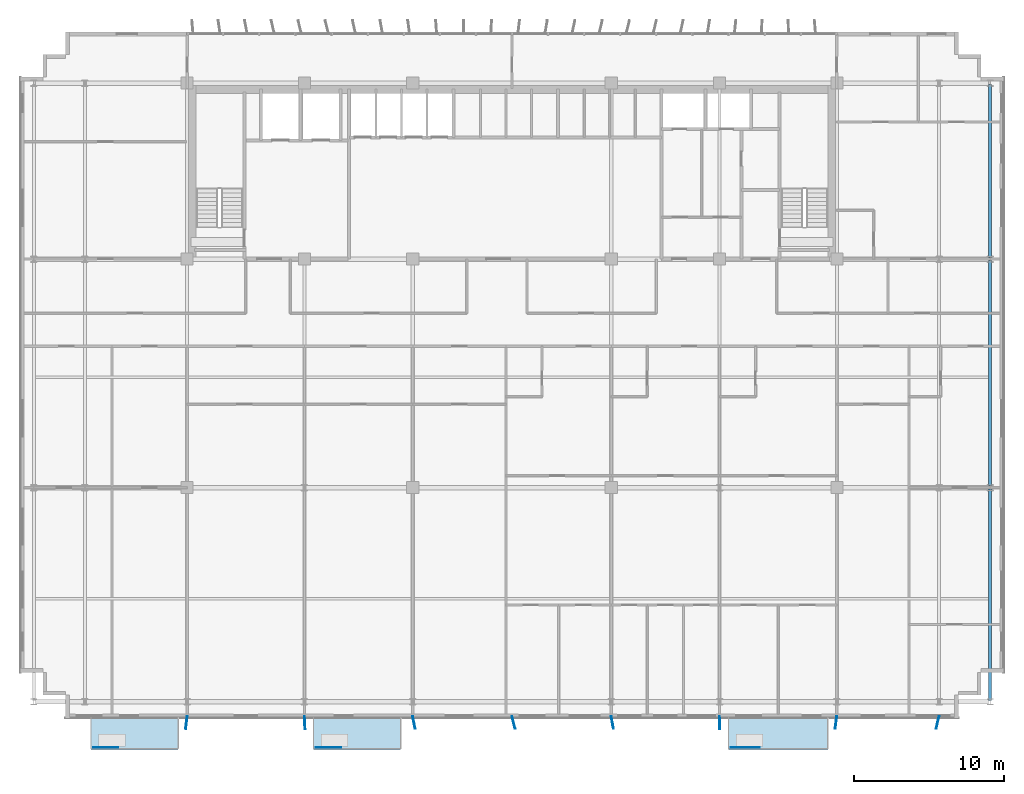
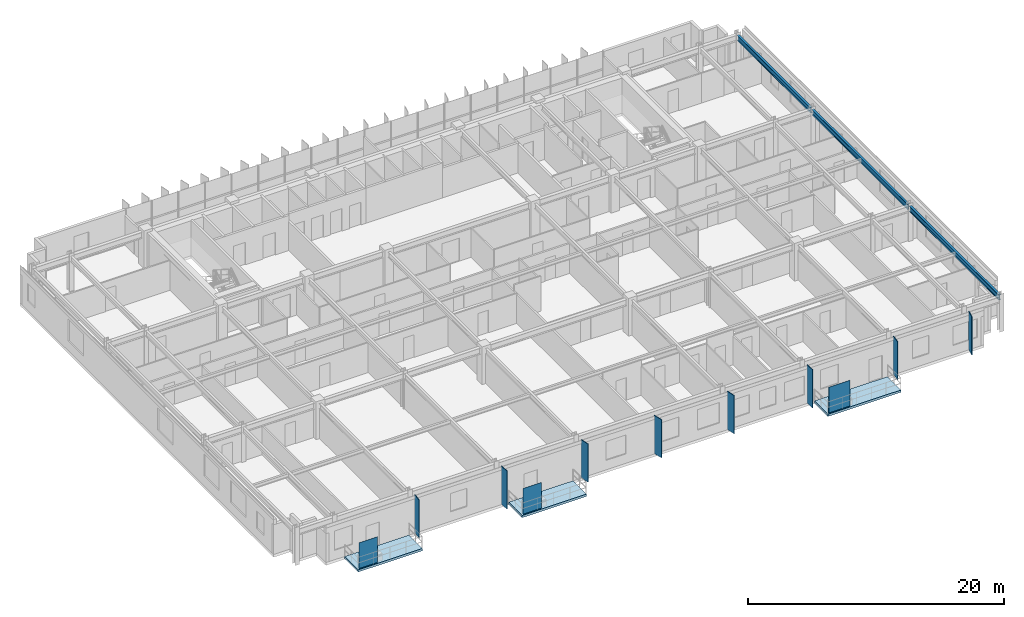
# One storey, part 12 of 22: 11 plates, 3 beams, 3 slabs.
"""IFC4 building model written with IfcOpenShell, lengths in metres."""

import ifcopenshell
import ifcopenshell.guid

model = None  # the IFC model being written
_history = None  # IfcOwnerHistory: only IFC2X3 demands one
_inside = {}  # id of a spatial element -> (the spatial element, [elements in it])
_under = {}  # id of a project, library or spatial element -> (it, [spatial elements below it])
_declared = {}  # id of a project -> (the project, [libraries it declares])
_typed = {}  # id of a type object -> (the type object, [elements of that type])
_made_of = {}  # id of a material, layer set ... -> (it, [elements and type objects made of it])


def new_model(schema):
    """Start an empty IFC model of exactly this schema.

    Asked for "IFC4X3", IfcOpenShell would pick the latest addendum, in which some entities
    have other attributes; the version numbers below select the first issue.
    IFC2X3 requires an IfcOwnerHistory on every rooted entity: one is made here for all.
    """
    global model, _history
    if schema == "IFC4X3":
        model = ifcopenshell.file(schema_version=(4, 3, 0, 0))
    else:
        model = ifcopenshell.file(schema=schema)
    _inside.clear()
    _under.clear()
    _declared.clear()
    _typed.clear()
    _made_of.clear()
    _history = None
    if model.schema == "IFC2X3":
        org = make("IfcOrganization", Name="unknown")
        user = make(
            "IfcPersonAndOrganization",
            ThePerson=make("IfcPerson", FamilyName="unknown"),
            TheOrganization=org,
        )
        app = make(
            "IfcApplication",
            ApplicationDeveloper=org,
            Version="unknown",
            ApplicationFullName="unknown",
            ApplicationIdentifier="unknown",
        )
        _history = make(
            "IfcOwnerHistory",
            OwningUser=user,
            OwningApplication=app,
            ChangeAction="ADDED",
            CreationDate=0,
        )
    return model


def make(cls, **values):
    """One entity of the class cls with the attributes given. An attribute that is None is left unset."""
    return model.create_entity(
        cls, **{name: value for name, value in values.items() if value is not None}
    )


def rooted(cls, **values):
    """An entity with a GlobalId (a new one), such as an element, a storey or a relation."""
    return make(cls, GlobalId=ifcopenshell.guid.new(), OwnerHistory=_history, **values)


def si_unit(unit_type, name, prefix=None):
    """IfcSIUnit, for example si_unit("LENGTHUNIT", "METRE", prefix="MILLI")."""
    return make("IfcSIUnit", UnitType=unit_type, Prefix=prefix, Name=name)


def assignment(units):
    """IfcUnitAssignment: the units of a project."""
    return None if units is None else make("IfcUnitAssignment", Units=units)


def point(xyz):
    """IfcCartesianPoint."""
    return None if xyz is None else make("IfcCartesianPoint", Coordinates=xyz)


def direction(xyz):
    """IfcDirection."""
    return None if xyz is None else make("IfcDirection", DirectionRatios=xyz)


def frame(location, z_axis=None, x_axis=None):
    """IfcAxis2Placement3D, a coordinate frame: its origin and axes. An axis left out is left unset."""
    return make(
        "IfcAxis2Placement3D",
        Location=point(location),
        Axis=direction(z_axis),
        RefDirection=direction(x_axis),
    )


def frame_2d(location, x_axis=None):
    """IfcAxis2Placement2D, a coordinate frame in the plane: its origin and x axis."""
    return make(
        "IfcAxis2Placement2D", Location=point(location), RefDirection=direction(x_axis)
    )


def origin():
    """The frame at (0, 0, 0) with its axes left unset."""
    return frame((0.0, 0.0, 0.0))


def origin_2d():
    """The frame at (0, 0) in the plane with its x axis left unset."""
    return frame_2d((0.0, 0.0))


def place(relative_to, where):
    """IfcLocalPlacement: puts the frame where relative to a parent placement (None: the world)."""
    return make(
        "IfcLocalPlacement", PlacementRelTo=relative_to, RelativePlacement=where
    )


def context(
    kind, dimensions, precision=None, world=None, true_north=None, identifier=None
):
    """IfcGeometricRepresentationContext, for example the 3D "Model" context."""
    return make(
        "IfcGeometricRepresentationContext",
        ContextIdentifier=identifier,
        ContextType=kind,
        CoordinateSpaceDimension=dimensions,
        Precision=precision,
        WorldCoordinateSystem=world,
        TrueNorth=true_north,
    )


def subcontext(parent, identifier, kind, view, scale=None):
    """IfcGeometricRepresentationSubContext, for example "Body" below "Model"."""
    return make(
        "IfcGeometricRepresentationSubContext",
        ContextIdentifier=identifier,
        ContextType=kind,
        ParentContext=parent,
        TargetScale=scale,
        TargetView=view,
    )


def project(units=None, contexts=None):
    """IfcProject with its units and contexts."""
    return rooted(
        "IfcProject",
        Name="project",
        RepresentationContexts=contexts,
        UnitsInContext=assignment(units),
    )


def spatial(cls, under=None, at=None, **own):
    """A site, building, storey or space (cls), placed at a placement, below another one or the project."""
    s = rooted(cls, ObjectPlacement=at, **own)
    if under is not None:
        _under.setdefault(under.id(), (under, []))[1].append(s)
    return s


def polyline(points):
    """IfcPolyline through the points."""
    return make("IfcPolyline", Points=[point(p) for p in points])


def profile(cls, at=None, kind="AREA", **sizes):
    """A parametric profile (cls). Its sizes go by their IFC names, for example OverallWidth=200.0."""
    return make(cls, ProfileType=kind, Position=at, **sizes)


def rectangle(**sizes):
    """IfcRectangleProfileDef."""
    return profile("IfcRectangleProfileDef", **sizes)


def i_section(**sizes):
    """IfcIShapeProfileDef."""
    return profile("IfcIShapeProfileDef", **sizes)


def outline(outer, holes=None, kind="AREA"):
    """IfcArbitraryClosedProfileDef: a profile drawn as a closed curve; with holes, ...WithVoids."""
    if holes is None:
        return make("IfcArbitraryClosedProfileDef", ProfileType=kind, OuterCurve=outer)
    return make(
        "IfcArbitraryProfileDefWithVoids",
        ProfileType=kind,
        OuterCurve=outer,
        InnerCurves=holes,
    )


def extrude(swept, where, along, depth):
    """IfcExtrudedAreaSolid: the profile swept, set in the frame where, extruded along a direction by depth."""
    return make(
        "IfcExtrudedAreaSolid",
        SweptArea=swept,
        Position=where,
        ExtrudedDirection=direction(along),
        Depth=depth,
    )


def shape(context_of_items, identifier, shape_type, items):
    """IfcShapeRepresentation: the items that make up one representation, for example the "Body"."""
    return make(
        "IfcShapeRepresentation",
        ContextOfItems=context_of_items,
        RepresentationIdentifier=identifier,
        RepresentationType=shape_type,
        Items=items,
    )


def source(mapping_origin, context_of_items, identifier, shape_type, items):
    """IfcRepresentationMap: a shape defined once, which mapped items show again and again."""
    return make(
        "IfcRepresentationMap",
        MappingOrigin=mapping_origin,
        MappedRepresentation=shape(context_of_items, identifier, shape_type, items),
    )


def transform(
    local_origin,
    x_axis=None,
    y_axis=None,
    z_axis=None,
    scale=None,
    scale2=None,
    scale3=None,
    uniform=True,
):
    """IfcCartesianTransformationOperator3D, or its non-uniform kind. x_axis, y_axis, z_axis: its Axis1, 2, 3."""
    if uniform:
        return make(
            "IfcCartesianTransformationOperator3D",
            Axis1=direction(x_axis),
            Axis2=direction(y_axis),
            LocalOrigin=point(local_origin),
            Scale=scale,
            Axis3=direction(z_axis),
        )
    return make(
        "IfcCartesianTransformationOperator3DnonUniform",
        Axis1=direction(x_axis),
        Axis2=direction(y_axis),
        LocalOrigin=point(local_origin),
        Scale=scale,
        Axis3=direction(z_axis),
        Scale2=scale2,
        Scale3=scale3,
    )


def mapped(mapping_source, mapping_target):
    """IfcMappedItem: shows the shape of a source again, moved by a transform."""
    return make(
        "IfcMappedItem", MappingSource=mapping_source, MappingTarget=mapping_target
    )


def material(Name=None, Category=None):
    """IfcMaterial."""
    return make("IfcMaterial", Name=Name, Category=Category)


def layer(
    of_material, thickness, ventilated=None, Name=None, Category=None, Priority=None
):
    """IfcMaterialLayer: one layer of a wall or slab, of a material (None: an air gap)."""
    return make(
        "IfcMaterialLayer",
        Material=of_material,
        LayerThickness=thickness,
        IsVentilated=ventilated,
        Name=Name,
        Category=Category,
        Priority=Priority,
    )


def layer_set(layers, Name=None):
    """IfcMaterialLayerSet."""
    return make("IfcMaterialLayerSet", MaterialLayers=layers, LayerSetName=Name)


def material_profile(
    of_material, cross_section, Name=None, Category=None, Priority=None
):
    """IfcMaterialProfile: a cross section and its material."""
    return make(
        "IfcMaterialProfile",
        Name=Name,
        Material=of_material,
        Profile=cross_section,
        Priority=Priority,
        Category=Category,
    )


def profile_set(profiles, Name=None, composite=None):
    """IfcMaterialProfileSet."""
    return make(
        "IfcMaterialProfileSet",
        Name=Name,
        MaterialProfiles=profiles,
        CompositeProfile=composite,
    )


def made_of(thing, what):
    """Note that an element or type object is made of a material, layer set ...; save() writes the relation."""
    if what is not None:
        _made_of.setdefault(what.id(), (what, []))[1].append(thing)
    return thing


def type_object(cls, material=None, **own):
    """A type object (cls), such as IfcWallType, which elements share."""
    return made_of(rooted(cls, **own), material)


def element(
    cls,
    number,
    at=None,
    inside=None,
    cuts=None,
    type_object=None,
    material=None,
    context=None,
    identifier="Body",
    shape_type=None,
    held_by="IfcProductDefinitionShape",
    body=None,
    shapes=None,
    **own,
):
    """One element of the class cls, such as IfcWall. Its Tag is "e" and its number.

    at: its placement. inside: the storey or other place that contains it. cuts: it is an
    opening in that element (IfcRelVoidsElement). A single representation is given by context,
    identifier, shape_type and body (its items); several are given by shapes. held_by: the class
    of the entity that holds the representations. save() writes the other relations.
    """
    e = rooted(cls, Tag="e%d" % number, ObjectPlacement=at, **own)
    if body is not None:
        shapes = [shape(context, identifier, shape_type, body)]
    if shapes is not None:
        e.Representation = make(held_by, Representations=shapes)
    if inside is not None:
        _inside.setdefault(inside.id(), (inside, []))[1].append(e)
    if cuts is not None:
        rooted(
            "IfcRelVoidsElement", RelatingBuildingElement=cuts, RelatedOpeningElement=e
        )
    if type_object is not None:
        _typed.setdefault(type_object.id(), (type_object, []))[1].append(e)
    return made_of(e, material)


def aggregate(whole, parts):
    """IfcRelAggregates: a whole, such as a stair, and the parts it consists of."""
    return rooted("IfcRelAggregates", RelatingObject=whole, RelatedObjects=parts)


def save(model, path):
    """Write the relations noted so far, then the file.

    IfcRelAggregates (storeys below a building ...), IfcRelContainedInSpatialStructure (elements
    in a storey), IfcRelDefinesByType, IfcRelAssociatesMaterial and IfcRelDeclares: one each for
    every whole, place, type object, material and project.
    """
    for whole, parts in _under.values():
        aggregate(whole, parts)
    for where, things in _inside.values():
        rooted(
            "IfcRelContainedInSpatialStructure",
            RelatedElements=things,
            RelatingStructure=where,
        )
    for kind, things in _typed.values():
        rooted("IfcRelDefinesByType", RelatedObjects=things, RelatingType=kind)
    for what, things in _made_of.values():
        rooted("IfcRelAssociatesMaterial", RelatedObjects=things, RelatingMaterial=what)
    for by, libraries in _declared.values():
        rooted("IfcRelDeclares", RelatingContext=by, RelatedDefinitions=libraries)
    model.write(path)


model = new_model("IFC4")

# Units and contexts
model_context = context("Model", 3, precision=1e-05, world=origin(), true_north=direction((0.0, 1.0)))
body_context = subcontext(model_context, "Body", "Model", "MODEL_VIEW")
ifc_project = project(units=[si_unit("LENGTHUNIT", "METRE"), si_unit("AREAUNIT", "SQUARE_METRE"), si_unit("VOLUMEUNIT", "CUBIC_METRE"), si_unit("PLANEANGLEUNIT", "RADIAN"), si_unit("MASSUNIT", "GRAM", prefix="KILO")], contexts=[model_context])

# Site, building, storey
site_placement = place(None, origin())
site = spatial("IfcSite", under=ifc_project, at=site_placement, CompositionType="ELEMENT")
building_placement = place(site_placement, origin())
building = spatial("IfcBuilding", under=site, at=building_placement, Name="Trelvane Seafront Commons", CompositionType="ELEMENT")
storey_placement = place(building_placement, frame((0.0, 0.0, 85.300048828125)))
storey = spatial("IfcBuildingStorey", under=building, at=storey_placement, Name="L21", CompositionType="ELEMENT", Elevation=85.300048828125)

# Beams
ifc_material_1 = material(Name="Steel SM355 (S355)", Category="steel")
ifc_material_profile = material_profile(ifc_material_1, i_section(OverallWidth=0.199951171875, OverallDepth=0.5, WebThickness=0.010009765625, FlangeThickness=0.01611328125, at=origin_2d()), Name="H-500x200x10x16")
ifc_profile_set = profile_set([ifc_material_profile], Name="Steel SM355 (S355)")
beam_type = type_object("IfcBeamType", Name="STR-BM-H500", PredefinedType="BEAM", material=ifc_profile_set)
shared_shape_1 = source(origin(), body_context, "Body", "SweptSolid", [
    extrude(i_section(OverallWidth=0.199951171875, OverallDepth=0.5, WebThickness=0.010009765625, FlangeThickness=0.01611328125, at=origin_2d()), origin(), (0.0, 0.0, 1.0), 14.050048828125),
])
beam_1_placement = place(storey_placement, frame((69.0, 4.050048828125, 3.08984375), z_axis=(0.0, 1.0, 0.0), x_axis=(-1.0, 0.0, 0.0)))
element("IfcBeam", 1, at=beam_1_placement, inside=storey, type_object=beam_type, Name="L21 Primary Girder G-64", PredefinedType="BEAM", context=body_context, shape_type="MappedRepresentation", body=[
    mapped(shared_shape_1, transform((0.0, 0.0, 0.0), x_axis=(1.0, 0.0, 0.0), y_axis=(0.0, 1.0, 0.0), z_axis=(0.0, 0.0, 1.0), scale=1.0)),
])
shared_shape_2 = source(origin(), body_context, "Body", "SweptSolid", [
    extrude(i_section(OverallWidth=0.199951171875, OverallDepth=0.5, WebThickness=0.010009765625, FlangeThickness=0.01611328125, at=origin_2d()), origin(), (0.0, 0.0, 1.0), 15.0),
])
beam_2_placement = place(storey_placement, frame((69.0, 18.300048828125, 3.08984375), z_axis=(0.0, 1.0, 0.0), x_axis=(-1.0, 0.0, 0.0)))
element("IfcBeam", 2, at=beam_2_placement, inside=storey, type_object=beam_type, Name="L21 Primary Girder G-65", PredefinedType="BEAM", context=body_context, shape_type="MappedRepresentation", body=[
    mapped(shared_shape_2, transform((0.0, 0.0, 0.0), x_axis=(1.0, 0.0, 0.0), y_axis=(0.0, 1.0, 0.0), z_axis=(0.0, 0.0, 1.0), scale=1.0)),
])
shared_shape_3 = source(origin(), body_context, "Body", "SweptSolid", [
    extrude(i_section(OverallWidth=0.199951171875, OverallDepth=0.5, WebThickness=0.010009765625, FlangeThickness=0.01611328125, at=origin_2d()), origin(), (0.0, 0.0, 1.0), 11.5),
])
beam_3_placement = place(storey_placement, frame((69.0, 33.5, 3.08984375), z_axis=(0.0, 1.0, 0.0), x_axis=(-1.0, 0.0, 0.0)))
element("IfcBeam", 3, at=beam_3_placement, inside=storey, type_object=beam_type, Name="L21 Primary Girder G-66", PredefinedType="BEAM", context=body_context, shape_type="MappedRepresentation", body=[
    mapped(shared_shape_3, transform((0.0, 0.0, 0.0), x_axis=(1.0, 0.0, 0.0), y_axis=(0.0, 1.0, 0.0), z_axis=(0.0, 0.0, 1.0), scale=1.0)),
])

# Slabs
ifc_material_2 = material(Name="Concrete C40/50", Category="concrete")
ifc_layer_1 = layer(ifc_material_2, 0.219970703125, Name="ARCH-BALC-220")
ifc_layer_set_1 = layer_set([ifc_layer_1], Name="Concrete C40/50")
slab_type = type_object("IfcSlabType", Name="ARCH-BALC-220", PredefinedType="FLOOR", material=ifc_layer_set_1)
slab_1_placement = place(storey_placement, frame((0.0, 0.0, -0.219970703125)))
element("IfcSlab", 4, at=slab_1_placement, inside=storey, type_object=slab_type, Name="L21 Cantilevered Tree Balcony Loggia 1", PredefinedType="FLOOR", context=body_context, shape_type="SweptSolid", body=[
    extrude(outline(polyline([(9.199951171875, 0.800048828125), (15.0, 0.800048828125), (15.0, 2.89990234375), (9.199951171875, 2.89990234375), (9.199951171875, 0.800048828125)])), origin(), (0.0, 0.0, 1.0), 0.219970703125),
])
slab_2_placement = place(storey_placement, frame((0.0, 0.0, -0.219970703125)))
element("IfcSlab", 5, at=slab_2_placement, inside=storey, type_object=slab_type, Name="L21 Cantilevered Tree Balcony Loggia 2", PredefinedType="FLOOR", context=body_context, shape_type="SweptSolid", body=[
    extrude(outline(polyline([(24.0, 0.800048828125), (29.800048828125, 0.800048828125), (29.800048828125, 2.89990234375), (24.0, 2.89990234375), (24.0, 0.800048828125)])), origin(), (0.0, 0.0, 1.0), 0.219970703125),
])
slab_3_placement = place(storey_placement, frame((0.0, 0.0, -0.219970703125)))
element("IfcSlab", 6, at=slab_3_placement, inside=storey, type_object=slab_type, Name="L21 Cantilevered Tree Balcony Loggia 3", PredefinedType="FLOOR", context=body_context, shape_type="SweptSolid", body=[
    extrude(outline(polyline([(51.60009765625, 0.800048828125), (58.199951171875, 0.800048828125), (58.199951171875, 2.89990234375), (51.60009765625, 2.89990234375), (51.60009765625, 0.800048828125)])), origin(), (0.0, 0.0, 1.0), 0.219970703125),
])

# Plates
ifc_material_3 = material(Name="Perforated anodised aluminium screen", Category="aluminium")
ifc_layer_2 = layer(ifc_material_3, 0.01611328125, Name="ARCH-PLATE-SCREEN")
ifc_layer_set_2 = layer_set([ifc_layer_2], Name="Perforated anodised aluminium screen")
plate_type_1 = type_object("IfcPlateType", Name="ARCH-PLATE-SCREEN", PredefinedType="USERDEFINED", material=ifc_layer_set_2)
shared_shape_4 = source(origin(), body_context, "Body", "SweptSolid", [
    extrude(rectangle(XDim=1.9140625, YDim=0.01611328125, at=origin_2d()), origin(), (0.0, 0.0, 1.0), 2.449951171875),
])
plate_placement = place(storey_placement, frame((52.70703125, 0.919921875, 0.0), z_axis=(0.0, 0.0, 1.0), x_axis=(1.0, 0.0, 0.0)))
element("IfcPlate", 7, at=plate_placement, inside=storey, type_object=plate_type_1, Name="SCR-L21-00077", ObjectType="SCREEN", PredefinedType="USERDEFINED", context=body_context, shape_type="MappedRepresentation", body=[
    mapped(shared_shape_4, transform((0.0, 0.0, 0.0), x_axis=(1.0, 0.0, 0.0), y_axis=(0.0, 1.0, 0.0), z_axis=(0.0, 0.0, 1.0), scale=1.0)),
])
shared_shape_5 = source(origin(), body_context, "Body", "SweptSolid", [
    extrude(rectangle(XDim=1.681884765625, YDim=0.01611328125, at=origin_2d()), origin(), (0.0, 0.0, 1.0), 2.449951171875),
])
for number, where, z_axis, x_axis, name in (
    (8, (10.19091796875, 0.919921875, 0.0), (0.0, 0.0, 1.0), (1.0, 0.0, 0.0), "SCR-L21-00075"),
    (9, (24.990966796875, 0.919921875, 0.0), (0.0, 0.0, 1.0), (1.0, 0.0, 0.0), "SCR-L21-00076"),
):
    element("IfcPlate", number, at=place(storey_placement, frame(where, z_axis=z_axis, x_axis=x_axis)), inside=storey, type_object=plate_type_1, Name=name, ObjectType="SCREEN", PredefinedType="USERDEFINED", context=body_context, shape_type="MappedRepresentation", body=[
        mapped(shared_shape_5, transform((0.0, 0.0, 0.0), x_axis=(1.0, 0.0, 0.0), y_axis=(0.0, 1.0, 0.0), z_axis=(0.0, 0.0, 1.0), scale=1.0)),
    ])
ifc_material_4 = material(Name="Anodised pale-silver aluminium", Category="aluminium")
ifc_layer_3 = layer(ifc_material_4, 0.06005859375, Name="ARCH-PLATE-FIN900")
ifc_layer_set_3 = layer_set([ifc_layer_3], Name="Anodised pale-silver aluminium")
plate_type_2 = type_object("IfcPlateType", Name="ARCH-PLATE-FIN900", PredefinedType="USERDEFINED", material=ifc_layer_set_3)
shared_shape_6 = source(origin(), body_context, "Body", "SweptSolid", [
    extrude(rectangle(XDim=0.85009765625, YDim=0.06005859375, at=origin_2d()), origin(), (0.0, 0.0, 1.0), 3.639892578125),
])
for number, where, z_axis, x_axis, name in (
    (10, (15.551025390625, 2.577880859375, -0.02001953125), (0.0, 0.0, 1.0), (-0.115297765521, -0.993330974684, 0.0), "FIN-S-L21-00511"),
    (11, (23.42138671875, 2.575439453125, -0.02001953125), (0.0, 0.0, 1.0), (0.05035413474, -0.998731425917, 0.0), "FIN-S-L21-00512"),
    (12, (30.681396484375, 2.5830078125, -0.02001953125), (0.0, 0.0, 1.0), (0.191408601662, -0.981510441722, 0.0), "FIN-S-L21-00513"),
    (13, (37.302734375, 2.587646484375, -0.02001953125), (0.0, 0.0, 1.0), (0.241761011151, -0.970335825108, 0.0), "FIN-S-L21-00514"),
    (14, (43.87646484375, 2.581787109375, -0.02001953125), (0.0, 0.0, 1.0), (0.180004123711, -0.983665855587, 0.0), "FIN-S-L21-00515"),
    (15, (51.013916015625, 2.5751953125, -0.02001953125), (0.0, 0.0, 1.0), (0.032589997335, -0.999468804953, 0.0), "FIN-S-L21-00516"),
    (16, (58.744384765625, 2.57861328125, -0.02001953125), (0.0, 0.0, 1.0), (-0.130707881788, -0.991420924552, 0.0), "FIN-S-L21-00517"),
    (17, (65.501708984375, 2.58642578125, -0.02001953125), (0.0, 0.0, 1.0), (-0.230946456648, -0.972966460965, 0.0), "FIN-S-L21-00518"),
):
    element("IfcPlate", number, at=place(storey_placement, frame(where, z_axis=z_axis, x_axis=x_axis)), inside=storey, type_object=plate_type_2, Name=name, ObjectType="FIN", PredefinedType="USERDEFINED", context=body_context, shape_type="MappedRepresentation", body=[
        mapped(shared_shape_6, transform((0.0, 0.0, 0.0), x_axis=(1.0, 0.0, 0.0), y_axis=(0.0, 1.0, 0.0), z_axis=(0.0, 0.0, 1.0), scale=1.0)),
    ])

save(model, "model.ifc")
